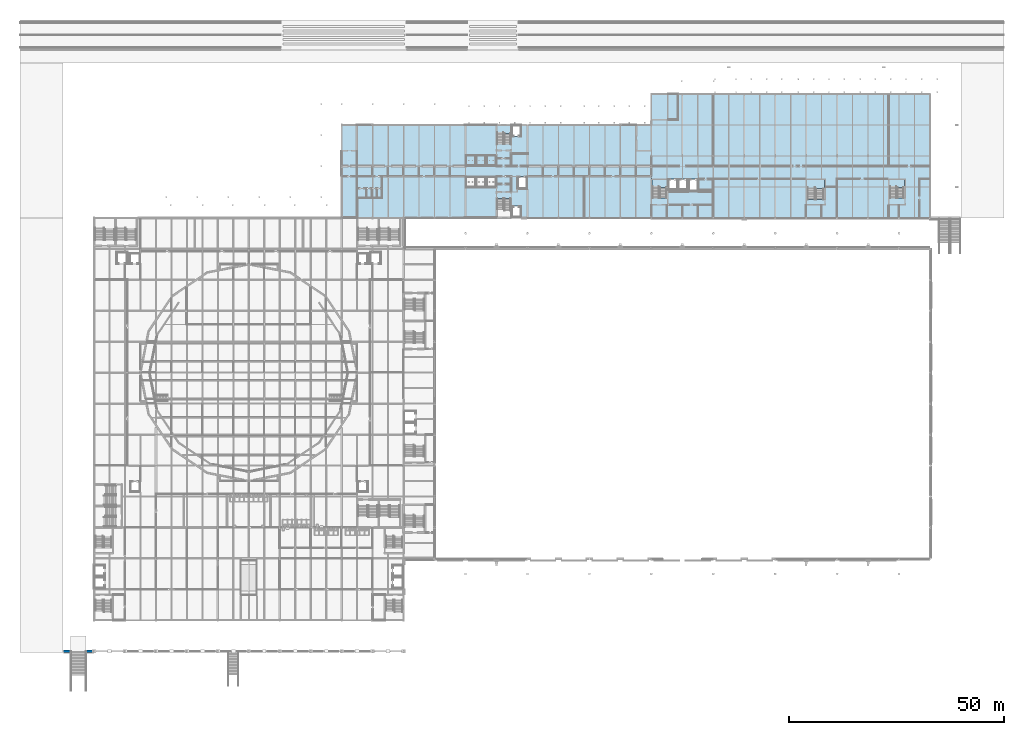
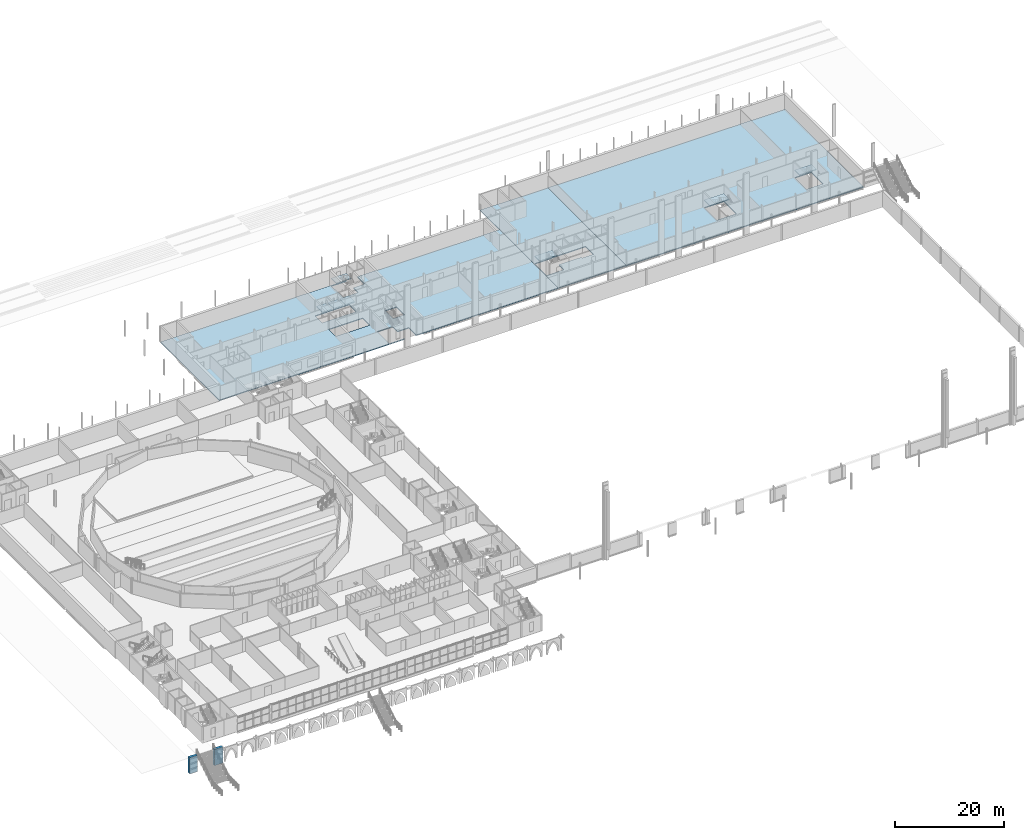
# One storey, part 44 of 90: 10 slabs, 2 walls, 4 elements without a shape of their own.
"""IFC4 building model written with IfcOpenShell, lengths in metres."""

from ifc_helpers import new_model, si_unit, direction, frame, frame_2d, origin, place, context, subcontext, project, spatial, polyline, rectangle, outline, extrude, material, layer, layer_set, type_object, element, aggregate, save


model = new_model("IFC4")

# Units and contexts
model_context = context("Model", 3, precision=1e-05, world=origin(), true_north=direction((0.0, 1.0)))
body_context = subcontext(model_context, "Body", "Model", "MODEL_VIEW")
ifc_project = project(units=[si_unit("LENGTHUNIT", "METRE"), si_unit("AREAUNIT", "SQUARE_METRE"), si_unit("VOLUMEUNIT", "CUBIC_METRE"), si_unit("PLANEANGLEUNIT", "RADIAN"), si_unit("MASSUNIT", "GRAM", prefix="KILO")], contexts=[model_context])

# Site, building, storey
site_placement = place(None, origin())
site = spatial("IfcSite", under=ifc_project, at=site_placement, CompositionType="ELEMENT")
building_placement = place(site_placement, origin())
building = spatial("IfcBuilding", under=site, at=building_placement, Name="Kupolbacken Congress Centre", CompositionType="ELEMENT")
storey_placement = place(building_placement, frame((0.0, 0.0, 3.60009765625)))
storey = spatial("IfcBuildingStorey", under=building, at=storey_placement, Name="L01", CompositionType="ELEMENT", Elevation=3.60009765625)

# Slabs
ifc_material_1 = material(Name="Concrete C30/37", Category="concrete")
ifc_layer_1 = layer(ifc_material_1, 0.300048828125)
ifc_layer_set_1 = layer_set([ifc_layer_1], Name="Concrete C30/37")
slab_type_1 = type_object("IfcSlabType", Name="BS3 slab 300", PredefinedType="BASESLAB", material=ifc_layer_set_1)
slab_1_placement = place(storey_placement, frame((0.0, 0.0, 1.89990234375)))
element("IfcSlab", 1, at=slab_1_placement, inside=storey, type_object=slab_type_1, Name="Lift pit slab LP12", PredefinedType="BASESLAB", context=body_context, shape_type="SweptSolid", body=[
    extrude(outline(polyline([(93.800048828125, 134.60009765625), (95.800048828125, 134.60009765625), (95.800048828125, 136.800048828125), (93.800048828125, 136.800048828125), (93.800048828125, 134.60009765625)])), origin(), (0.0, 0.0, 1.0), 0.300048828125),
])
slab_2_placement = place(storey_placement, frame((0.0, 0.0, 1.89990234375)))
element("IfcSlab", 2, at=slab_2_placement, inside=storey, type_object=slab_type_1, Name="Lift pit slab LP13", PredefinedType="BASESLAB", context=body_context, shape_type="SweptSolid", body=[
    extrude(outline(polyline([(96.199951171875, 134.60009765625), (98.199951171875, 134.60009765625), (98.199951171875, 136.800048828125), (96.199951171875, 136.800048828125), (96.199951171875, 134.60009765625)])), origin(), (0.0, 0.0, 1.0), 0.300048828125),
])
slab_3_placement = place(storey_placement, frame((0.0, 0.0, 1.89990234375)))
element("IfcSlab", 3, at=slab_3_placement, inside=storey, type_object=slab_type_1, Name="Lift pit slab LP14", PredefinedType="BASESLAB", context=body_context, shape_type="SweptSolid", body=[
    extrude(outline(polyline([(98.60009765625, 134.60009765625), (100.60009765625, 134.60009765625), (100.60009765625, 136.800048828125), (98.60009765625, 136.800048828125), (98.60009765625, 134.60009765625)])), origin(), (0.0, 0.0, 1.0), 0.300048828125),
])
ifc_material_2 = material(Name="Concrete C30/37", Category="concrete")
ifc_layer_2 = layer(ifc_material_2, 0.1201171875)
ifc_material_3 = material(Name="Steel S350 profiled deck", Category="steel")
ifc_layer_3 = layer(ifc_material_3, 0.06005859375)
ifc_layer_set_2 = layer_set([ifc_layer_2, ifc_layer_3], Name="Concrete C30/37 / Steel S350 profiled deck")
slab_type_2 = type_object("IfcSlabType", Name="FS3 slab 180", PredefinedType="FLOOR", material=ifc_layer_set_2)
slab_4_placement = place(storey_placement, frame((0.0, 0.0, -0.18017578125)))
element("IfcSlab", 4, at=slab_4_placement, inside=storey, type_object=slab_type_2, Name="S/floor/T/L01/slab/slab", PredefinedType="FLOOR", context=body_context, shape_type="SweptSolid", body=[
    extrude(outline(polyline([(136.799560546875, 122.400390625), (136.799560546875, 143.99951171875), (106.6005859375, 143.99951171875), (106.6005859375, 141.299560546875), (104.200439453125, 141.299560546875), (104.200439453125, 139.509521484375), (100.974609375, 139.509521484375), (100.974609375, 143.825439453125), (104.199462890625, 143.825439453125), (104.199462890625, 143.99951171875), (64.800537109375, 143.99951171875), (64.800537109375, 122.400390625), (104.199462890625, 122.400390625), (104.199462890625, 122.574462890625), (100.974609375, 122.574462890625), (100.974609375, 126.890380859375), (104.200439453125, 126.890380859375), (104.200439453125, 125.1005859375), (106.6005859375, 125.1005859375), (106.6005859375, 122.400390625), (136.799560546875, 122.400390625)]), holes=[polyline([(105.599609375, 132.00048828125), (108.00048828125, 132.00048828125), (108.00048828125, 129.099609375), (105.599609375, 129.099609375), (105.599609375, 132.00048828125)]), polyline([(93.599609375, 137.00048828125), (100.800537109375, 137.00048828125), (100.800537109375, 134.3994140625), (93.599609375, 134.3994140625), (93.599609375, 137.00048828125)]), polyline([(93.599609375, 129.3994140625), (93.599609375, 132.00048828125), (100.800537109375, 132.00048828125), (100.800537109375, 129.3994140625), (93.599609375, 129.3994140625)])]), origin(), (0.0, 0.0, 1.0), 0.18017578125),
])
slab_5_placement = place(storey_placement, frame((0.0, 0.0, -0.18017578125)))
element("IfcSlab", 5, at=slab_5_placement, inside=storey, type_object=slab_type_2, Name="S/floor/BF/L01/slab/slab", PredefinedType="FLOOR", context=body_context, shape_type="SweptSolid", body=[
    extrude(outline(polyline([(151.199462890625, 122.400390625), (151.199462890625, 151.199462890625), (136.800537109375, 151.199462890625), (136.800537109375, 122.400390625), (151.199462890625, 122.400390625)]), holes=[polyline([(140.599609375, 131.275390625), (140.599609375, 131.400390625), (147.800537109375, 131.400390625), (147.800537109375, 128.49951171875), (145.3994140625, 128.49951171875), (145.3994140625, 128.799560546875), (140.6005859375, 128.799560546875), (140.6005859375, 126.95947265625), (136.924560546875, 126.95947265625), (136.924560546875, 131.275390625), (140.599609375, 131.275390625)])]), origin(), (0.0, 0.0, 1.0), 0.18017578125),
])
ifc_layer_4 = layer(ifc_material_2, 0.139892578125)
ifc_layer_5 = layer(ifc_material_3, 0.06005859375)
ifc_layer_set_3 = layer_set([ifc_layer_4, ifc_layer_5], Name="Concrete C30/37 / Steel S350 profiled deck")
slab_type_3 = type_object("IfcSlabType", Name="FS4 slab 200", PredefinedType="FLOOR", material=ifc_layer_set_3)
slab_6_placement = place(storey_placement, frame((0.0, 0.0, -0.2001953125)))
element("IfcSlab", 6, at=slab_6_placement, inside=storey, type_object=slab_type_3, Name="S/floor/B/L01/slab/slab", PredefinedType="FLOOR", context=body_context, shape_type="SweptSolid", body=[
    extrude(outline(polyline([(201.599609375, 122.400390625), (201.599609375, 151.199462890625), (151.200439453125, 151.199462890625), (151.200439453125, 122.400390625), (201.599609375, 122.400390625)]), holes=[polyline([(195.675537109375, 131.275390625), (195.675537109375, 126.95947265625), (192.12451171875, 126.95947265625), (192.12451171875, 131.275390625), (195.675537109375, 131.275390625)]), polyline([(177.075439453125, 131.275390625), (177.075439453125, 126.659423828125), (172.924560546875, 126.659423828125), (172.924560546875, 131.275390625), (177.075439453125, 131.275390625)])]), origin(), (0.0, 0.0, 1.0), 0.2001953125),
])

# Stair, slab
ifc_material_4 = material(Name="Steel S355", Category="steel")
stair_type_1 = type_object("IfcStairType", Name="ST2 stair 1500", PredefinedType="TWO_STRAIGHT_RUN_STAIR", material=ifc_material_4)
stair_1_placement = place(storey_placement, origin())
stair_1 = element("IfcStair", 7, at=stair_1_placement, inside=storey, type_object=stair_type_1, Name="C/stair/TS2/L01", PredefinedType="NOTDEFINED")
ifc_material_5 = material(Name="Concrete C30/37 precast", Category="concrete")
ifc_layer_6 = layer(ifc_material_5, 0.175048828125)
ifc_layer_set_4 = layer_set([ifc_layer_6], Name="Concrete C30/37 precast")
slab_type_4 = type_object("IfcSlabType", Name="SL1 slab 175", PredefinedType="LANDING", material=ifc_layer_set_4)
slab_7_placement = place(storey_placement, frame((0.0, 0.0, 1.539306640625)))
slab_7 = element("IfcSlab", 8, at=slab_7_placement, type_object=slab_type_4, Name="TS2 landing 1", PredefinedType="LANDING", context=body_context, shape_type="SweptSolid", body=[
    extrude(outline(polyline([(100.955078125, 142.02001953125), (104.219970703125, 142.02001953125), (104.219970703125, 143.844970703125), (100.955078125, 143.844970703125), (100.955078125, 142.02001953125)])), origin(), (0.0, 0.0, 1.0), 0.1748046875),
])
aggregate(stair_1, [slab_7])

stair_2_placement = place(storey_placement, origin())
stair_2 = element("IfcStair", 9, at=stair_2_placement, inside=storey, type_object=stair_type_1, Name="C/stair/BS1/L01", PredefinedType="NOTDEFINED")
slab_8_placement = place(storey_placement, frame((0.0, 0.0, 1.539306640625)))
slab_8 = element("IfcSlab", 10, at=slab_8_placement, type_object=slab_type_4, Name="BS1 landing 1", PredefinedType="LANDING", context=body_context, shape_type="SweptSolid", body=[
    extrude(outline(polyline([(136.905029296875, 129.469970703125), (140.6201171875, 129.469970703125), (140.6201171875, 131.294921875), (136.905029296875, 131.294921875), (136.905029296875, 129.469970703125)])), origin(), (0.0, 0.0, 1.0), 0.1748046875),
])
aggregate(stair_2, [slab_8])

stair_3_placement = place(storey_placement, origin())
stair_3 = element("IfcStair", 11, at=stair_3_placement, inside=storey, type_object=stair_type_1, Name="C/stair/BS3/L01", PredefinedType="NOTDEFINED")
slab_9_placement = place(storey_placement, frame((0.0, 0.0, 1.539306640625)))
slab_9 = element("IfcSlab", 12, at=slab_9_placement, type_object=slab_type_4, Name="BS3 landing 1", PredefinedType="LANDING", context=body_context, shape_type="SweptSolid", body=[
    extrude(outline(polyline([(192.10498046875, 129.469970703125), (195.695068359375, 129.469970703125), (195.695068359375, 131.294921875), (192.10498046875, 131.294921875), (192.10498046875, 129.469970703125)])), origin(), (0.0, 0.0, 1.0), 0.1748046875),
])
aggregate(stair_3, [slab_9])

ifc_material_6 = material(Name="Steel S355", Category="steel")
stair_type_2 = type_object("IfcStairType", Name="ST3 stair 1800", PredefinedType="TWO_STRAIGHT_RUN_STAIR", material=ifc_material_6)
stair_4_placement = place(storey_placement, origin())
stair_4 = element("IfcStair", 13, at=stair_4_placement, inside=storey, type_object=stair_type_2, Name="C/stair/BS4/L01", PredefinedType="NOTDEFINED")
ifc_layer_7 = layer(ifc_material_2, 0.175048828125)
ifc_material_7 = material(Name="Limestone", Category="masonry")
ifc_layer_8 = layer(ifc_material_7, 0.030029296875)
ifc_layer_set_5 = layer_set([ifc_layer_7, ifc_layer_8], Name="Concrete C30/37 / Limestone")
slab_type_5 = type_object("IfcSlabType", Name="SL2 slab 205", PredefinedType="LANDING", material=ifc_layer_set_5)
slab_10_placement = place(storey_placement, frame((0.0, 0.0, 1.50927734375)))
slab_10 = element("IfcSlab", 14, at=slab_10_placement, type_object=slab_type_5, Name="BS4 landing 1", PredefinedType="LANDING", context=body_context, shape_type="SweptSolid", body=[
    extrude(outline(polyline([(172.905029296875, 129.169921875), (177.094970703125, 129.169921875), (177.094970703125, 131.294921875), (172.905029296875, 131.294921875), (172.905029296875, 129.169921875)])), origin(), (0.0, 0.0, 1.0), 0.204833984375),
])
aggregate(stair_4, [slab_10])

# Walls
ifc_material_8 = material(Name="Concrete C30/37", Category="concrete")
ifc_layer_9 = layer(ifc_material_8, 0.550048828125)
ifc_layer_set_6 = layer_set([ifc_layer_9], Name="Concrete C30/37")
wall_type = type_object("IfcWallType", Name="RW3 retaining wall 550", PredefinedType="SOLIDWALL", material=ifc_layer_set_6)
wall_1_placement = place(storey_placement, frame((0.1298828125, 21.60009765625, 0.0), z_axis=(0.0, 0.0, 1.0), x_axis=(1.0, 0.0, 0.0)))
element("IfcWall", 15, at=wall_1_placement, inside=storey, type_object=wall_type, Name="S/rw/RW1/W2", PredefinedType="SOLIDWALL", context=body_context, shape_type="SweptSolid", body=[
    extrude(rectangle(XDim=1.670166015625, YDim=0.550048828125, at=frame_2d((0.8349609375, 0.0))), origin(), (0.0, 0.0, 1.0), 3.599853515625),
])
wall_2_placement = place(storey_placement, frame((5.39990234375, 21.60009765625, 0.0), z_axis=(0.0, 0.0, 1.0), x_axis=(1.0, 0.0, 0.0)))
element("IfcWall", 16, at=wall_2_placement, inside=storey, type_object=wall_type, Name="S/rw/RW2/W2", PredefinedType="SOLIDWALL", context=body_context, shape_type="SweptSolid", body=[
    extrude(rectangle(XDim=1.800048828125, YDim=0.550048828125, at=frame_2d((0.89990234375, 0.0))), origin(), (0.0, 0.0, 1.0), 3.599853515625),
])

save(model, "model.ifc")
